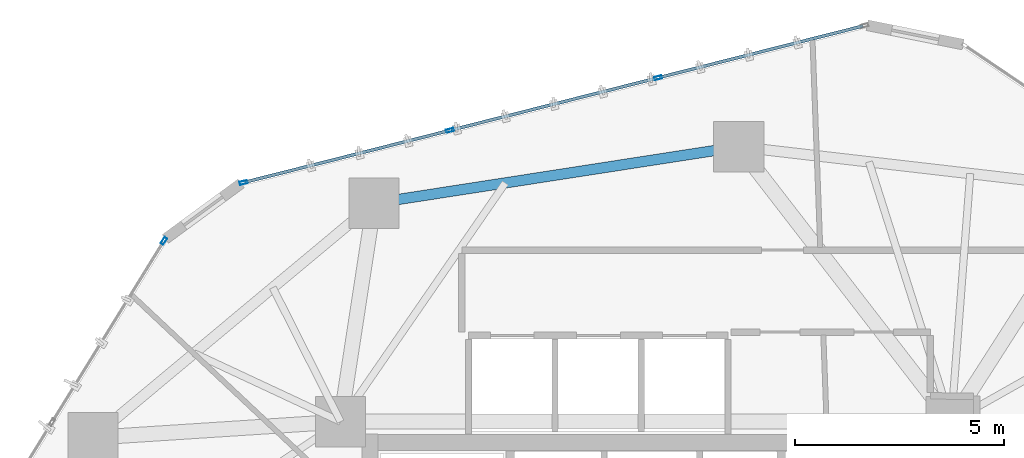
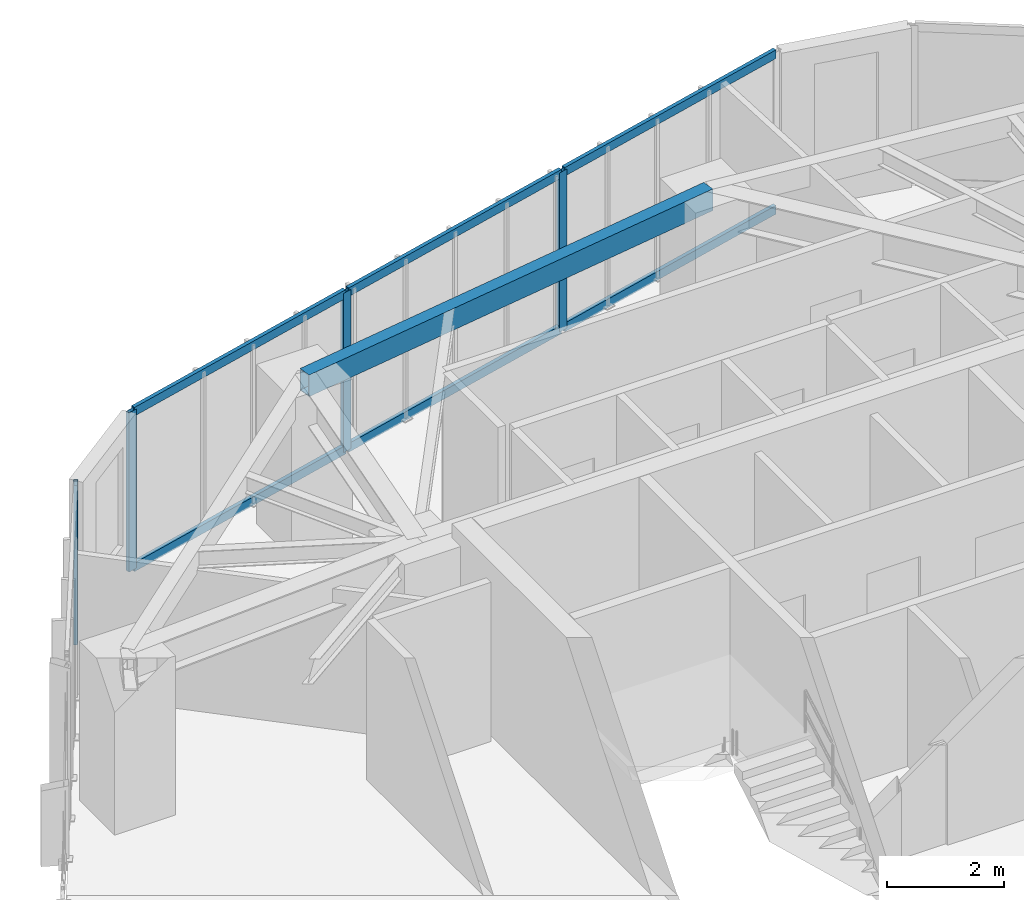
# One storey, part 13 of 20: 10 members, 1 beam, 2 elements without a shape of their own.
"""IFC4 building model written with IfcOpenShell, lengths in metres."""

from ifc_helpers import new_model, si_unit, direction, frame, origin, origin_2d, place, context, subcontext, project, spatial, hollow_rectangle, extrude, source, transform, mapped, material, layer, layer_set, material_profile, profile_set, type_object, type_shapes, element, aggregate, save


model = new_model("IFC4")

# Units and contexts
model_context = context("Model", 3, precision=1e-05, world=origin(), true_north=direction((0.0, 1.0)))
body_context = subcontext(model_context, "Body", "Model", "MODEL_VIEW")
ifc_project = project(units=[si_unit("LENGTHUNIT", "METRE"), si_unit("AREAUNIT", "SQUARE_METRE"), si_unit("VOLUMEUNIT", "CUBIC_METRE"), si_unit("PLANEANGLEUNIT", "RADIAN"), si_unit("MASSUNIT", "GRAM", prefix="KILO")], contexts=[model_context])

# Site, building, storey
site_placement = place(None, origin())
site = spatial("IfcSite", under=ifc_project, at=site_placement, CompositionType="ELEMENT")
building_placement = place(site_placement, origin())
building = spatial("IfcBuilding", under=site, at=building_placement, Name="Talar Marvaseh", CompositionType="ELEMENT")
storey_placement = place(building_placement, frame((0.0, 0.0, 132.60009765625)))
storey = spatial("IfcBuildingStorey", under=building, at=storey_placement, Name="L34", CompositionType="ELEMENT", Elevation=132.60009765625)

# Beam
ifc_material_1 = material(Name="Steel S355", Category="steel")
ifc_material_profile_1 = material_profile(ifc_material_1, hollow_rectangle(XDim=0.25, YDim=0.449951171875, WallThickness=0.01611328125, at=origin_2d()), Name="RHS450x250x16")
ifc_profile_set_1 = profile_set([ifc_material_profile_1], Name="Steel S355")
beam_type = type_object("IfcBeamType", Name="Zone 2 Perimeter Spandrel Beam RHS450x250x16", PredefinedType="SPANDREL", material=ifc_profile_set_1)
beam_placement = place(storey_placement, frame((19.5009765625, 42.123046875, 3.0849609375), z_axis=(0.988248879948, 0.152853365295, 0.0), x_axis=(-0.152853365295, 0.988248879948, 0.0)))
element("IfcBeam", 1, at=beam_placement, inside=storey, type_object=beam_type, Name="L34 Zone 2 Perimeter Spandrel Beam RHS450x250x16", PredefinedType="SPANDREL", context=body_context, shape_type="SweptSolid", body=[
    extrude(hollow_rectangle(XDim=0.25, YDim=0.449951171875, WallThickness=0.01611328125, at=origin_2d()), origin(), (0.0, 0.0, 1.0), 8.82470703125),
])

# Curtain wall, members
ifc_material_2 = material(Name="Architectural Aluminium", Category="aluminium")
ifc_layer = layer(ifc_material_2, 0.199951171875)
ifc_layer_set = layer_set([ifc_layer], Name="Architectural Aluminium")
curtain_wall_type = type_object("IfcCurtainWallType", Name="Unitised Acoustic Library Curtain Wall Z2", PredefinedType="NOTDEFINED", material=ifc_layer_set)
curtain_wall_1_placement = place(storey_placement, origin())
curtain_wall_1 = element("IfcCurtainWall", 2, at=curtain_wall_1_placement, inside=storey, type_object=curtain_wall_type, Name="L34 Unitised Acoustic Library Curtain Wall Z2", PredefinedType="NOTDEFINED")
ifc_material_profile_2 = material_profile(ifc_material_2, hollow_rectangle(XDim=0.074951171875, YDim=0.179931640625, WallThickness=0.0048828125, at=origin_2d()), Name="RHS180x75x5")
ifc_profile_set_2 = profile_set([ifc_material_profile_2], Name="Architectural Aluminium")
member_type_1 = type_object("IfcMemberType", Name="Unitised Curtain Wall Transom RHS180x75x5", PredefinedType="USERDEFINED", material=ifc_profile_set_2)
shared_shape_1 = source(origin(), body_context, "Body", "SweptSolid", [
    extrude(hollow_rectangle(XDim=0.074951171875, YDim=0.179931640625, WallThickness=0.0048828125, at=origin_2d()), origin(), (0.0, 0.0, 1.0), 5.017578125),
])
member_1_placement = place(storey_placement, frame((16.416015625, 42.625, 0.037353515625), z_axis=(0.969512429386, 0.245042137736, 0.0), x_axis=(-0.245042137736, 0.969512429386, 0.0)))
member_1 = element("IfcMember", 3, at=member_1_placement, type_object=member_type_1, Name="CW-Z2 transom 1.1", ObjectType="TRANSOM", PredefinedType="USERDEFINED", context=body_context, shape_type="MappedRepresentation", body=[
    mapped(shared_shape_1, transform((0.0, 0.0, 0.0), x_axis=(1.0, 0.0, 0.0), y_axis=(0.0, 1.0, 0.0), z_axis=(0.0, 0.0, 1.0), scale=1.0)),
])
member_2_placement = place(storey_placement, frame((16.416015625, 42.625, 3.2724609375), z_axis=(0.969512429386, 0.245042137736, 0.0), x_axis=(-0.245042137736, 0.969512429386, 0.0)))
member_2 = element("IfcMember", 4, at=member_2_placement, type_object=member_type_1, Name="CW-Z2 transom 1.2", ObjectType="TRANSOM", PredefinedType="USERDEFINED", context=body_context, shape_type="MappedRepresentation", body=[
    mapped(shared_shape_1, transform((0.0, 0.0, 0.0), x_axis=(1.0, 0.0, 0.0), y_axis=(0.0, 1.0, 0.0), z_axis=(0.0, 0.0, 1.0), scale=1.0)),
])
shared_shape_2 = source(origin(), body_context, "Body", "SweptSolid", [
    extrude(hollow_rectangle(XDim=0.074951171875, YDim=0.179931640625, WallThickness=0.0048828125, at=origin_2d()), origin(), (0.0, 0.0, 1.0), 5.054931640625),
])
member_3_placement = place(storey_placement, frame((21.353271484375, 43.872802734375, 0.037353515625), z_axis=(0.969519995179, 0.245012201631, 0.0), x_axis=(-0.245012201631, 0.969519995179, 0.0)))
member_3 = element("IfcMember", 5, at=member_3_placement, type_object=member_type_1, Name="CW-Z2 transom 2.1", ObjectType="TRANSOM", PredefinedType="USERDEFINED", context=body_context, shape_type="MappedRepresentation", body=[
    mapped(shared_shape_2, transform((0.0, 0.0, 0.0), x_axis=(1.0, 0.0, 0.0), y_axis=(0.0, 1.0, 0.0), z_axis=(0.0, 0.0, 1.0), scale=1.0)),
])
member_4_placement = place(storey_placement, frame((21.353271484375, 43.872802734375, 3.2724609375), z_axis=(0.969519995179, 0.245012201631, 0.0), x_axis=(-0.245012201631, 0.969519995179, 0.0)))
member_4 = element("IfcMember", 6, at=member_4_placement, type_object=member_type_1, Name="CW-Z2 transom 2.2", ObjectType="TRANSOM", PredefinedType="USERDEFINED", context=body_context, shape_type="MappedRepresentation", body=[
    mapped(shared_shape_2, transform((0.0, 0.0, 0.0), x_axis=(1.0, 0.0, 0.0), y_axis=(0.0, 1.0, 0.0), z_axis=(0.0, 0.0, 1.0), scale=1.0)),
])
shared_shape_3 = source(origin(), body_context, "Body", "SweptSolid", [
    extrude(hollow_rectangle(XDim=0.074951171875, YDim=0.179931640625, WallThickness=0.0048828125, at=origin_2d()), origin(), (0.0, 0.0, 1.0), 5.017822265625),
])
type_shapes(member_type_1, [shared_shape_1, shared_shape_2, shared_shape_3])
member_5_placement = place(storey_placement, frame((26.326904296875, 45.129638671875, 0.037353515625), z_axis=(0.969515350886, 0.245030578493, 0.0), x_axis=(-0.245030578493, 0.969515350886, 0.0)))
member_5 = element("IfcMember", 7, at=member_5_placement, type_object=member_type_1, Name="CW-Z2 transom 3.1", ObjectType="TRANSOM", PredefinedType="USERDEFINED", context=body_context, shape_type="MappedRepresentation", body=[
    mapped(shared_shape_3, transform((0.0, 0.0, 0.0), x_axis=(1.0, 0.0, 0.0), y_axis=(0.0, 1.0, 0.0), z_axis=(0.0, 0.0, 1.0), scale=1.0)),
])
member_6_placement = place(storey_placement, frame((26.326904296875, 45.129638671875, 3.2724609375), z_axis=(0.969515350886, 0.245030578493, 0.0), x_axis=(-0.245030578493, 0.969515350886, 0.0)))
member_6 = element("IfcMember", 8, at=member_6_placement, type_object=member_type_1, Name="CW-Z2 transom 3.2", ObjectType="TRANSOM", PredefinedType="USERDEFINED", context=body_context, shape_type="MappedRepresentation", body=[
    mapped(shared_shape_3, transform((0.0, 0.0, 0.0), x_axis=(1.0, 0.0, 0.0), y_axis=(0.0, 1.0, 0.0), z_axis=(0.0, 0.0, 1.0), scale=1.0)),
])

# Curtain wall, member
curtain_wall_2_placement = place(storey_placement, origin())
curtain_wall_2 = element("IfcCurtainWall", 9, at=curtain_wall_2_placement, inside=storey, type_object=curtain_wall_type, Name="L34 Unitised Acoustic Library Curtain Wall Z2", PredefinedType="NOTDEFINED")
ifc_material_profile_3 = material_profile(ifc_material_2, hollow_rectangle(XDim=0.074951171875, YDim=0.179931640625, WallThickness=0.0048828125, at=origin_2d()), Name="RHS180x75x5")
ifc_profile_set_3 = profile_set([ifc_material_profile_3], Name="Architectural Aluminium")
member_type_2 = type_object("IfcMemberType", Name="Unitised Curtain Wall Standard Mullion RHS180x75x5", PredefinedType="MULLION", material=ifc_profile_set_3)
shared_shape_4 = source(origin(), body_context, "Body", "SweptSolid", [
    extrude(hollow_rectangle(XDim=0.074951171875, YDim=0.179931640625, WallThickness=0.0048828125, at=origin_2d()), origin(), (0.0, 0.0, 1.0), 3.309814453125),
])
type_shapes(member_type_2, [shared_shape_4])
member_7_placement = place(storey_placement, frame((14.4765625, 41.220703125, 0.0), z_axis=(0.0, 0.0, 1.0), x_axis=(-0.850974472915, 0.525207051026, 0.0)))
member_7 = element("IfcMember", 10, at=member_7_placement, type_object=member_type_2, Name="CW-Z2 mullion 4", PredefinedType="MULLION", context=body_context, shape_type="MappedRepresentation", body=[
    mapped(shared_shape_4, transform((0.0, 0.0, 0.0), x_axis=(1.0, 0.0, 0.0), y_axis=(0.0, 1.0, 0.0), z_axis=(0.0, 0.0, 1.0), scale=1.0)),
])
aggregate(curtain_wall_2, [member_7])

# Member
member_8_placement = place(storey_placement, frame((16.379638671875, 42.615966796875, 0.0), z_axis=(0.0, 0.0, 1.0), x_axis=(-0.245007003451, 0.969521308822, 0.0)))
member_8 = element("IfcMember", 11, at=member_8_placement, type_object=member_type_2, Name="CW-Z2 mullion 1", PredefinedType="MULLION", context=body_context, shape_type="MappedRepresentation", body=[
    mapped(shared_shape_4, transform((0.0, 0.0, 0.0), x_axis=(1.0, 0.0, 0.0), y_axis=(0.0, 1.0, 0.0), z_axis=(0.0, 0.0, 1.0), scale=1.0)),
])

member_9_placement = place(storey_placement, frame((21.31689453125, 43.863525390625, 0.0), z_axis=(0.0, 0.0, 1.0), x_axis=(-0.245007003451, 0.969521308822, 0.0)))
member_9 = element("IfcMember", 12, at=member_9_placement, type_object=member_type_2, Name="CW-Z2 mullion 2", PredefinedType="MULLION", context=body_context, shape_type="MappedRepresentation", body=[
    mapped(shared_shape_4, transform((0.0, 0.0, 0.0), x_axis=(1.0, 0.0, 0.0), y_axis=(0.0, 1.0, 0.0), z_axis=(0.0, 0.0, 1.0), scale=1.0)),
])

member_10_placement = place(storey_placement, frame((26.29052734375, 45.12060546875, 0.0), z_axis=(0.0, 0.0, 1.0), x_axis=(-0.245007003451, 0.969521308822, 0.0)))
member_10 = element("IfcMember", 13, at=member_10_placement, type_object=member_type_2, Name="CW-Z2 mullion 3", PredefinedType="MULLION", context=body_context, shape_type="MappedRepresentation", body=[
    mapped(shared_shape_4, transform((0.0, 0.0, 0.0), x_axis=(1.0, 0.0, 0.0), y_axis=(0.0, 1.0, 0.0), z_axis=(0.0, 0.0, 1.0), scale=1.0)),
])

aggregate(curtain_wall_1, [member_8, member_9, member_10, member_1, member_2, member_3, member_4, member_5, member_6])

save(model, "model.ifc")
